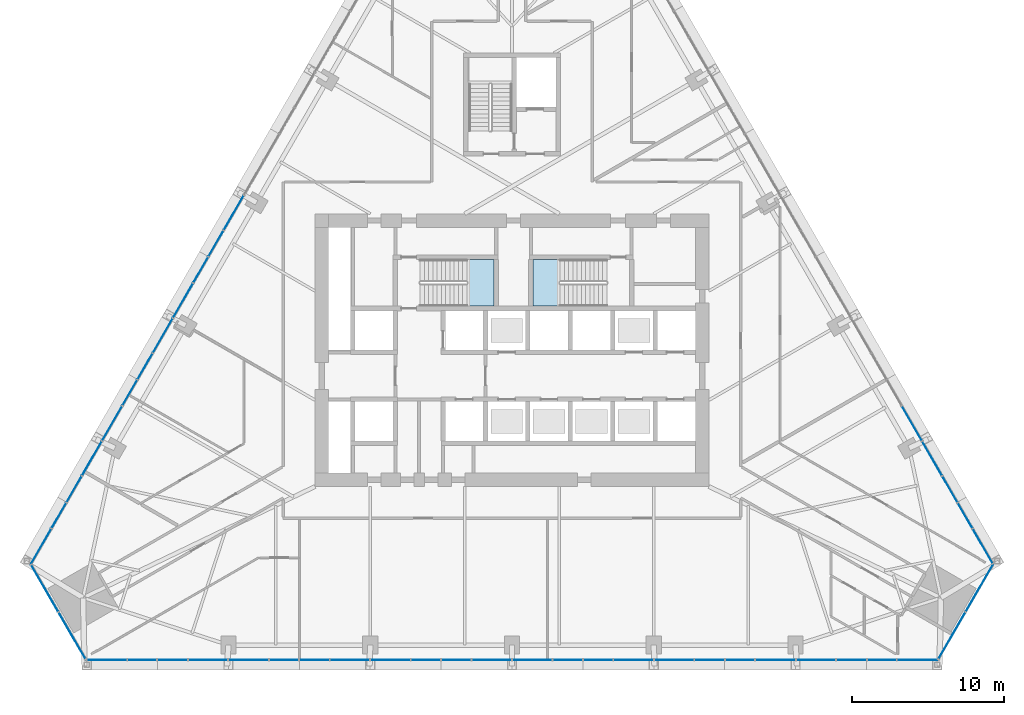
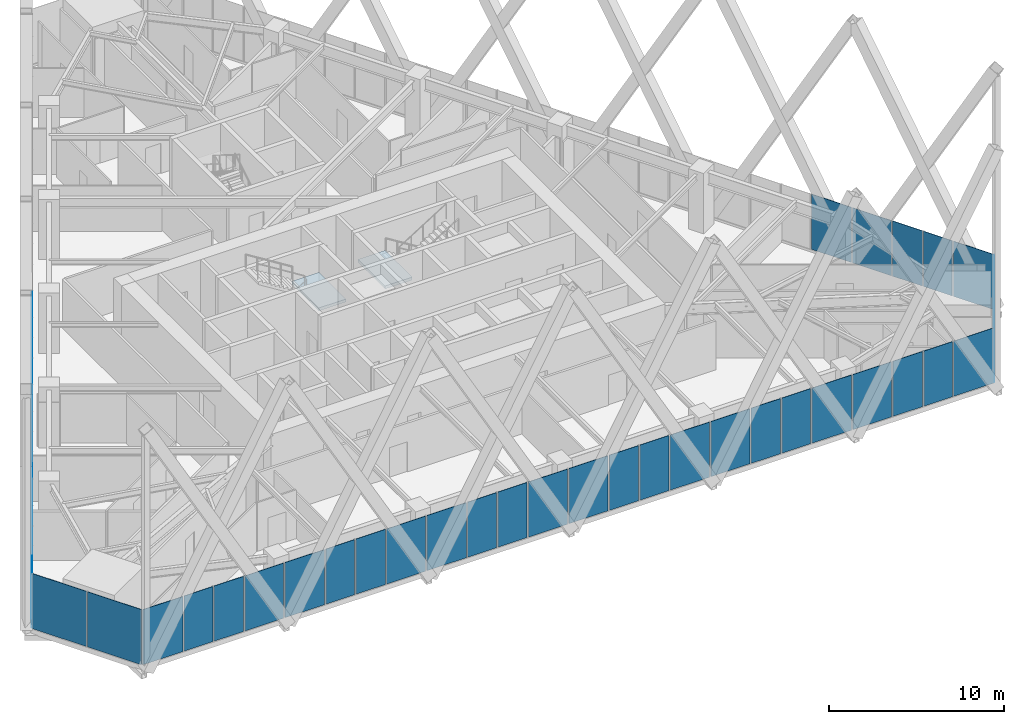
# One storey, part 13 of 21: 45 plates, 2 slabs, 7 elements without a shape of their own.
"""IFC4 building model written with IfcOpenShell, lengths in metres."""

from ifc_helpers import new_model, si_unit, direction, frame, origin, place, context, subcontext, project, spatial, polyline, outline, extrude, material, layer, layer_set, type_object, element, aggregate, save


model = new_model("IFC4")

# Units and contexts
model_context = context("Model", 3, precision=1e-05, world=origin(), true_north=direction((0.0, 1.0)))
body_context = subcontext(model_context, "Body", "Model", "MODEL_VIEW")
ifc_project = project(units=[si_unit("LENGTHUNIT", "METRE"), si_unit("AREAUNIT", "SQUARE_METRE"), si_unit("VOLUMEUNIT", "CUBIC_METRE"), si_unit("PLANEANGLEUNIT", "RADIAN"), si_unit("MASSUNIT", "GRAM", prefix="KILO")], contexts=[model_context])

# Site, building, storey
site_placement = place(None, origin())
site = spatial("IfcSite", under=ifc_project, at=site_placement, CompositionType="ELEMENT")
building_placement = place(site_placement, origin())
building = spatial("IfcBuilding", under=site, at=building_placement, Name="Firuza Gate Tower and Library", CompositionType="ELEMENT")
storey_placement = place(building_placement, frame((0.0, 0.0, 107.199951171875)))
storey = spatial("IfcBuildingStorey", under=building, at=storey_placement, Name="L24", CompositionType="ELEMENT", Elevation=107.199951171875)

# Curtain wall, plates
ifc_material_1 = material(Name="Aluminium 6063-T6", Category="aluminium")
ifc_layer_1 = layer(ifc_material_1, 0.14990234375)
ifc_layer_set_1 = layer_set([ifc_layer_1], Name="Corner curtain wall, chamfers")
curtain_wall_type_1 = type_object("IfcCurtainWallType", Name="Corner curtain wall, chamfers", PredefinedType="NOTDEFINED", material=ifc_layer_set_1)
placement_1 = place(storey_placement, origin())
curtain_wall_1 = element("IfcCurtainWall", 1, at=placement_1, inside=storey, type_object=curtain_wall_type_1, Name="CW4 L24 SE corner", PredefinedType="NOTDEFINED")
ifc_material_2 = material(Name="Fritted glass", Category="glass")
ifc_layer_2 = layer(ifc_material_2, 0.030029296875)
ifc_layer_set_2 = layer_set([ifc_layer_2], Name="Fritted glass unit, corners")
plate_type_1 = type_object("IfcPlateType", Name="Fritted glass unit, corners", PredefinedType="CURTAIN_PANEL", material=ifc_layer_set_2)
plate_1_placement = place(storey_placement, frame((103.138916015625, 54.59326171875, 0.150146484375), z_axis=(0.866016723041, -0.500015035186, 0.0), x_axis=(0.500015035186, 0.866016723041, 0.0)))
plate_1 = element("IfcPlate", 2, at=plate_1_placement, type_object=plate_type_1, Name="Glass unit", PredefinedType="CURTAIN_PANEL", context=body_context, shape_type="SweptSolid", body=[
    extrude(outline(polyline([(0.0, 0.0), (3.5633694106530625, 0.0), (3.5633694106530625, 3.849853515625), (0.0, 3.849853515625), (0.0, 0.0)])), origin(), (0.0, 0.0, -1.0), 0.030029296875),
])
plate_2_placement = place(storey_placement, frame((104.960693359375, 57.74853515625, 0.150146484375), z_axis=(0.866029262436, -0.49999331656, 0.0), x_axis=(0.49999331656, 0.866029262436, 0.0)))
plate_2 = element("IfcPlate", 3, at=plate_2_placement, type_object=plate_type_1, Name="Glass unit", PredefinedType="CURTAIN_PANEL", context=body_context, shape_type="SweptSolid", body=[
    extrude(outline(polyline([(0.0, 0.0), (3.563035907926298, 0.0), (3.563035907926298, 3.849853515625), (0.0, 3.849853515625), (0.0, 0.0)])), origin(), (0.0, 0.0, -1.0), 0.030029296875),
])
aggregate(curtain_wall_1, [plate_1, plate_2])

curtain_wall_2 = element("IfcCurtainWall", 4, at=placement_1, inside=storey, type_object=curtain_wall_type_1, Name="CW4 L24 SW corner", PredefinedType="NOTDEFINED")
plate_3_placement = place(storey_placement, frame((43.2578125, 60.834228515625, 0.150146484375), z_axis=(-0.866029262436, -0.49999331656, 0.0), x_axis=(0.49999331656, -0.866029262436, 0.0)))
plate_3 = element("IfcPlate", 5, at=plate_3_placement, type_object=plate_type_1, Name="Glass unit", PredefinedType="CURTAIN_PANEL", context=body_context, shape_type="SweptSolid", body=[
    extrude(outline(polyline([(0.0, 0.0), (3.563035907926298, 0.0), (3.563035907926298, 3.849853515625), (0.0, 3.849853515625), (0.0, 0.0)])), origin(), (0.0, 0.0, -1.0), 0.030029296875),
])
plate_4_placement = place(storey_placement, frame((45.079345703125, 57.67919921875, 0.150146484375), z_axis=(-0.866016723041, -0.500015035186, 0.0), x_axis=(0.500015035186, -0.866016723041, 0.0)))
plate_4 = element("IfcPlate", 6, at=plate_4_placement, type_object=plate_type_1, Name="Glass unit", PredefinedType="CURTAIN_PANEL", context=body_context, shape_type="SweptSolid", body=[
    extrude(outline(polyline([(0.0, 0.0), (3.5633694106530625, 0.0), (3.5633694106530625, 3.849853515625), (0.0, 3.849853515625), (0.0, 0.0)])), origin(), (0.0, 0.0, -1.0), 0.030029296875),
])
aggregate(curtain_wall_2, [plate_3, plate_4])

ifc_material_3 = material(Name="Aluminium 6063-T6", Category="aluminium")
ifc_layer_3 = layer(ifc_material_3, 0.14990234375)
ifc_layer_set_3 = layer_set([ifc_layer_3], Name="Unitised curtain wall, offices")
curtain_wall_type_2 = type_object("IfcCurtainWallType", Name="Unitised curtain wall, offices", PredefinedType="NOTDEFINED", material=ifc_layer_set_3)
curtain_wall_3 = element("IfcCurtainWall", 7, at=placement_1, inside=storey, type_object=curtain_wall_type_2, Name="CW1 L24 S face", PredefinedType="NOTDEFINED")
ifc_material_4 = material(Name="Fritted glass", Category="glass")
ifc_layer_4 = layer(ifc_material_4, 0.030029296875)
ifc_layer_set_4 = layer_set([ifc_layer_4], Name="Fritted glass unit, offices")
plate_type_2 = type_object("IfcPlateType", Name="Fritted glass unit, offices", PredefinedType="CURTAIN_PANEL", material=ifc_layer_set_4)
plate_5_placement = place(storey_placement, frame((49.650146484375, 54.551025390625, 0.150146484375), z_axis=(0.0, -1.0, 0.0), x_axis=(1.0, 0.0, 0.0)))
plate_5 = element("IfcPlate", 8, at=plate_5_placement, type_object=plate_type_2, Name="Glass unit", PredefinedType="CURTAIN_PANEL", context=body_context, shape_type="SweptSolid", body=[
    extrude(outline(polyline([(0.0, 0.0), (1.88818359375, 0.0), (1.88818359375, 3.849853515625), (0.0, 3.849853515625), (0.0, 0.0)])), origin(), (0.0, 0.0, -1.0), 0.030029296875),
])
plate_6_placement = place(storey_placement, frame((51.618408203125, 54.551025390625, 0.150146484375), z_axis=(0.0, -1.0, 0.0), x_axis=(1.0, 0.0, 0.0)))
plate_6 = element("IfcPlate", 9, at=plate_6_placement, type_object=plate_type_2, Name="Glass unit", PredefinedType="CURTAIN_PANEL", context=body_context, shape_type="SweptSolid", body=[
    extrude(outline(polyline([(0.0, 0.0), (1.96044921875, 0.0), (1.96044921875, 3.849853515625), (0.0, 3.849853515625), (0.0, 0.0)])), origin(), (0.0, 0.0, -1.0), 0.030029296875),
])
plate_7_placement = place(storey_placement, frame((59.00439453125, 54.551025390625, 0.150146484375), z_axis=(0.0, -1.0, 0.0), x_axis=(1.0, 0.0, 0.0)))
plate_7 = element("IfcPlate", 10, at=plate_7_placement, type_object=plate_type_2, Name="Glass unit", PredefinedType="CURTAIN_PANEL", context=body_context, shape_type="SweptSolid", body=[
    extrude(outline(polyline([(0.0, 0.0), (1.902587890625, 0.0), (1.902587890625, 3.849853515625), (0.0, 3.849853515625), (0.0, 0.0)])), origin(), (0.0, 0.0, -1.0), 0.030029296875),
])
plate_8_placement = place(storey_placement, frame((60.987060546875, 54.551025390625, 0.150146484375), z_axis=(0.0, -1.0, 0.0), x_axis=(1.0, 0.0, 0.0)))
plate_8 = element("IfcPlate", 11, at=plate_8_placement, type_object=plate_type_2, Name="Glass unit", PredefinedType="CURTAIN_PANEL", context=body_context, shape_type="SweptSolid", body=[
    extrude(outline(polyline([(0.0, 0.0), (1.946044921875, 0.0), (1.946044921875, 3.849853515625), (0.0, 3.849853515625), (0.0, 0.0)])), origin(), (0.0, 0.0, -1.0), 0.030029296875),
])
plate_9_placement = place(storey_placement, frame((68.358642578125, 54.551025390625, 0.150146484375), z_axis=(0.0, -1.0, 0.0), x_axis=(1.0, 0.0, 0.0)))
plate_9 = element("IfcPlate", 12, at=plate_9_placement, type_object=plate_type_2, Name="Glass unit", PredefinedType="CURTAIN_PANEL", context=body_context, shape_type="SweptSolid", body=[
    extrude(outline(polyline([(0.0, 0.0), (1.9169921875, 0.0), (1.9169921875, 3.849853515625), (0.0, 3.849853515625), (0.0, 0.0)])), origin(), (0.0, 0.0, -1.0), 0.030029296875),
])
plate_10_placement = place(storey_placement, frame((70.355712890625, 54.551025390625, 0.150146484375), z_axis=(0.0, -1.0, 0.0), x_axis=(1.0, 0.0, 0.0)))
plate_10 = element("IfcPlate", 13, at=plate_10_placement, type_object=plate_type_2, Name="Glass unit", PredefinedType="CURTAIN_PANEL", context=body_context, shape_type="SweptSolid", body=[
    extrude(outline(polyline([(0.0, 0.0), (1.931396484375, 0.0), (1.931396484375, 3.849853515625), (0.0, 3.849853515625), (0.0, 0.0)])), origin(), (0.0, 0.0, -1.0), 0.030029296875),
])
plate_11_placement = place(storey_placement, frame((77.712890625, 54.551025390625, 0.150146484375), z_axis=(0.0, -1.0, 0.0), x_axis=(1.0, 0.0, 0.0)))
plate_11 = element("IfcPlate", 14, at=plate_11_placement, type_object=plate_type_2, Name="Glass unit", PredefinedType="CURTAIN_PANEL", context=body_context, shape_type="SweptSolid", body=[
    extrude(outline(polyline([(0.0, 0.0), (1.931396484375, 0.0), (1.931396484375, 3.849853515625), (0.0, 3.849853515625), (0.0, 0.0)])), origin(), (0.0, 0.0, -1.0), 0.030029296875),
])
plate_12_placement = place(storey_placement, frame((79.724365234375, 54.551025390625, 0.150146484375), z_axis=(0.0, -1.0, 0.0), x_axis=(1.0, 0.0, 0.0)))
plate_12 = element("IfcPlate", 15, at=plate_12_placement, type_object=plate_type_2, Name="Glass unit", PredefinedType="CURTAIN_PANEL", context=body_context, shape_type="SweptSolid", body=[
    extrude(outline(polyline([(0.0, 0.0), (1.9169921875, 0.0), (1.9169921875, 3.849853515625), (0.0, 3.849853515625), (0.0, 0.0)])), origin(), (0.0, 0.0, -1.0), 0.030029296875),
])
plate_13_placement = place(storey_placement, frame((87.06689453125, 54.551025390625, 0.150146484375), z_axis=(0.0, -1.0, 0.0), x_axis=(1.0, 0.0, 0.0)))
plate_13 = element("IfcPlate", 16, at=plate_13_placement, type_object=plate_type_2, Name="Glass unit", PredefinedType="CURTAIN_PANEL", context=body_context, shape_type="SweptSolid", body=[
    extrude(outline(polyline([(0.0, 0.0), (1.946044921875, 0.0), (1.946044921875, 3.849853515625), (0.0, 3.849853515625), (0.0, 0.0)])), origin(), (0.0, 0.0, -1.0), 0.030029296875),
])
plate_14_placement = place(storey_placement, frame((89.093017578125, 54.551025390625, 0.150146484375), z_axis=(0.0, -1.0, 0.0), x_axis=(1.0, 0.0, 0.0)))
plate_14 = element("IfcPlate", 17, at=plate_14_placement, type_object=plate_type_2, Name="Glass unit", PredefinedType="CURTAIN_PANEL", context=body_context, shape_type="SweptSolid", body=[
    extrude(outline(polyline([(0.0, 0.0), (1.902587890625, 0.0), (1.902587890625, 3.849853515625), (0.0, 3.849853515625), (0.0, 0.0)])), origin(), (0.0, 0.0, -1.0), 0.030029296875),
])
plate_15_placement = place(storey_placement, frame((96.421142578125, 54.551025390625, 0.150146484375), z_axis=(0.0, -1.0, 0.0), x_axis=(1.0, 0.0, 0.0)))
plate_15 = element("IfcPlate", 18, at=plate_15_placement, type_object=plate_type_2, Name="Glass unit", PredefinedType="CURTAIN_PANEL", context=body_context, shape_type="SweptSolid", body=[
    extrude(outline(polyline([(0.0, 0.0), (1.96044921875, 0.0), (1.96044921875, 3.849853515625), (0.0, 3.849853515625), (0.0, 0.0)])), origin(), (0.0, 0.0, -1.0), 0.030029296875),
])
plate_16_placement = place(storey_placement, frame((98.461669921875, 54.551025390625, 0.150146484375), z_axis=(0.0, -1.0, 0.0), x_axis=(1.0, 0.0, 0.0)))
plate_16 = element("IfcPlate", 19, at=plate_16_placement, type_object=plate_type_2, Name="Glass unit", PredefinedType="CURTAIN_PANEL", context=body_context, shape_type="SweptSolid", body=[
    extrude(outline(polyline([(0.0, 0.0), (1.88818359375, 0.0), (1.88818359375, 3.849853515625), (0.0, 3.849853515625), (0.0, 0.0)])), origin(), (0.0, 0.0, -1.0), 0.030029296875),
])

curtain_wall_4 = element("IfcCurtainWall", 20, at=placement_1, inside=storey, type_object=curtain_wall_type_2, Name="CW1 L24 E face", PredefinedType="NOTDEFINED")
plate_17_placement = place(storey_placement, frame((105.38427734375, 63.270751953125, 0.150146484375), z_axis=(0.866030560329, 0.499991068497, 0.0), x_axis=(-0.499991068497, 0.866030560329, 0.0)))
plate_17 = element("IfcPlate", 21, at=plate_17_placement, type_object=plate_type_2, Name="Glass unit", PredefinedType="CURTAIN_PANEL", context=body_context, shape_type="SweptSolid", body=[
    extrude(outline(polyline([(0.0, 0.0), (1.8882173229881538, 0.0), (1.8882173229881538, 3.849853515625), (0.0, 3.849853515625), (0.0, 0.0)])), origin(), (0.0, 0.0, -1.0), 0.030029296875),
])
plate_18_placement = place(storey_placement, frame((104.400146484375, 64.975341796875, 0.150146484375), z_axis=(0.866019675333, 0.500009921838, 0.0), x_axis=(-0.500009921838, 0.866019675333, 0.0)))
plate_18 = element("IfcPlate", 22, at=plate_18_placement, type_object=plate_type_2, Name="Glass unit", PredefinedType="CURTAIN_PANEL", context=body_context, shape_type="SweptSolid", body=[
    extrude(outline(polyline([(0.0, 0.0), (1.960410317002924, 0.0), (1.960410317002924, 3.849853515625), (0.0, 3.849853515625), (0.0, 0.0)])), origin(), (0.0, 0.0, -1.0), 0.030029296875),
])

curtain_wall_5 = element("IfcCurtainWall", 23, at=placement_1, inside=storey, type_object=curtain_wall_type_2, Name="CW1 L24 W face", PredefinedType="NOTDEFINED")
plate_19_placement = place(storey_placement, frame((55.934326171875, 82.875, 0.150146484375), z_axis=(-0.865994022444, 0.500054350137, 0.0), x_axis=(-0.500054350137, -0.865994022444, 0.0)))
plate_19 = element("IfcPlate", 24, at=plate_19_placement, type_object=plate_type_2, Name="Glass unit", PredefinedType="CURTAIN_PANEL", context=body_context, shape_type="SweptSolid", body=[
    extrude(outline(polyline([(0.0, 0.0), (1.9314306779558341, 0.0), (1.9314306779558341, 3.849853515625001), (0.0, 3.849853515625001), (0.0, 0.0)])), origin(), (0.0, 0.0, -1.0), 0.030029296875),
])
plate_20_placement = place(storey_placement, frame((54.928466796875, 81.133056640625, 0.150146484375), z_axis=(-0.866024401789, 0.500001735503, 0.0), x_axis=(-0.500001735503, -0.866024401789, 0.0)))
plate_20 = element("IfcPlate", 25, at=plate_20_placement, type_object=plate_type_2, Name="Glass unit", PredefinedType="CURTAIN_PANEL", context=body_context, shape_type="SweptSolid", body=[
    extrude(outline(polyline([(0.0, 0.0), (1.9169855336303587, 0.0), (1.9169855336303587, 3.8498535156249996), (0.0, 3.8498535156249996), (0.0, 0.0)])), origin(), (0.0, 0.0, -1.0), 0.030029296875),
])
plate_21_placement = place(storey_placement, frame((51.25732421875, 74.774169921875, 0.150146484375), z_axis=(-0.865995465643, 0.500051850797, 0.0), x_axis=(-0.500051850797, -0.865995465643, 0.0)))
plate_21 = element("IfcPlate", 26, at=plate_21_placement, type_object=plate_type_2, Name="Glass unit", PredefinedType="CURTAIN_PANEL", context=body_context, shape_type="SweptSolid", body=[
    extrude(outline(polyline([(0.0, 0.0), (1.9460872501492925, 0.0), (1.9460872501492925, 3.849853515625), (0.0, 3.849853515625), (0.0, 0.0)])), origin(), (0.0, 0.0, -1.0), 0.030029296875),
])
plate_22_placement = place(storey_placement, frame((50.244140625, 73.01953125, 0.150146484375), z_axis=(-0.866055239177, 0.499948320023, 0.0), x_axis=(-0.499948320023, -0.866055239177, 0.0)))
plate_22 = element("IfcPlate", 27, at=plate_22_placement, type_object=plate_type_2, Name="Glass unit", PredefinedType="CURTAIN_PANEL", context=body_context, shape_type="SweptSolid", body=[
    extrude(outline(polyline([(0.0, 0.0), (1.9025403964883187, 0.0), (1.9025403964883187, 3.849853515625), (0.0, 3.849853515625), (0.0, 0.0)])), origin(), (0.0, 0.0, -1.0), 0.030029296875),
])
plate_23_placement = place(storey_placement, frame((46.580078125, 66.673095703125, 0.150146484375), z_axis=(-0.866019675333, 0.500009921838, 0.0), x_axis=(-0.500009921838, -0.866019675333, 0.0)))
plate_23 = element("IfcPlate", 28, at=plate_23_placement, type_object=plate_type_2, Name="Glass unit", PredefinedType="CURTAIN_PANEL", context=body_context, shape_type="SweptSolid", body=[
    extrude(outline(polyline([(0.0, 0.0), (1.960410317002924, 0.0), (1.960410317002924, 3.849853515625), (0.0, 3.849853515625), (0.0, 0.0)])), origin(), (0.0, 0.0, -1.0), 0.030029296875),
])
plate_24_placement = place(storey_placement, frame((45.559814453125, 64.906005859375, 0.150146484375), z_axis=(-0.866030560329, 0.499991068497, 0.0), x_axis=(-0.499991068497, -0.866030560329, 0.0)))
plate_24 = element("IfcPlate", 29, at=plate_24_placement, type_object=plate_type_2, Name="Glass unit", PredefinedType="CURTAIN_PANEL", context=body_context, shape_type="SweptSolid", body=[
    extrude(outline(polyline([(0.0, 0.0), (1.8882173229881538, 0.0), (1.8882173229881538, 3.849853515625), (0.0, 3.849853515625), (0.0, 0.0)])), origin(), (0.0, 0.0, -1.0), 0.030029296875),
])

# Plate
ifc_material_5 = material(Name="Glazed ceramic tile")
ifc_layer_5 = layer(ifc_material_5, 0.030029296875)
ifc_layer_set_5 = layer_set([ifc_layer_5], Name="Opaque ceramic panel, offices")
plate_type_3 = type_object("IfcPlateType", Name="Opaque ceramic panel, offices", PredefinedType="CURTAIN_PANEL", material=ifc_layer_set_5)
plate_25_placement = place(storey_placement, frame((46.93408203125, 54.551025390625, 0.150146484375), z_axis=(0.0, -1.0, 0.0), x_axis=(1.0, 0.0, 0.0)))
plate_25 = element("IfcPlate", 30, at=plate_25_placement, type_object=plate_type_3, Name="Opaque ceramic panel", PredefinedType="CURTAIN_PANEL", context=body_context, shape_type="SweptSolid", body=[
    extrude(outline(polyline([(0.0, 0.0), (2.635986328125, 0.0), (2.635986328125, 3.849853515625), (0.0, 3.849853515625), (0.0, 0.0)])), origin(), (0.0, 0.0, -1.0), 0.030029296875),
])

plate_26_placement = place(storey_placement, frame((53.65869140625, 54.551025390625, 0.150146484375), z_axis=(0.0, -1.0, 0.0), x_axis=(1.0, 0.0, 0.0)))
plate_26 = element("IfcPlate", 31, at=plate_26_placement, type_object=plate_type_3, Name="Opaque ceramic panel", PredefinedType="CURTAIN_PANEL", context=body_context, shape_type="SweptSolid", body=[
    extrude(outline(polyline([(0.0, 0.0), (2.56396484375, 0.0), (2.56396484375, 3.849853515625), (0.0, 3.849853515625), (0.0, 0.0)])), origin(), (0.0, 0.0, -1.0), 0.030029296875),
])

plate_27_placement = place(storey_placement, frame((56.302734375, 54.551025390625, 0.150146484375), z_axis=(0.0, -1.0, 0.0), x_axis=(1.0, 0.0, 0.0)))
plate_27 = element("IfcPlate", 32, at=plate_27_placement, type_object=plate_type_3, Name="Opaque ceramic panel", PredefinedType="CURTAIN_PANEL", context=body_context, shape_type="SweptSolid", body=[
    extrude(outline(polyline([(0.0, 0.0), (2.62158203125, 0.0), (2.62158203125, 3.849853515625), (0.0, 3.849853515625), (0.0, 0.0)])), origin(), (0.0, 0.0, -1.0), 0.030029296875),
])

plate_28_placement = place(storey_placement, frame((63.012939453125, 54.551025390625, 0.150146484375), z_axis=(0.0, -1.0, 0.0), x_axis=(1.0, 0.0, 0.0)))
plate_28 = element("IfcPlate", 33, at=plate_28_placement, type_object=plate_type_3, Name="Opaque ceramic panel", PredefinedType="CURTAIN_PANEL", context=body_context, shape_type="SweptSolid", body=[
    extrude(outline(polyline([(0.0, 0.0), (2.578369140625, 0.0), (2.578369140625, 3.849853515625), (0.0, 3.849853515625), (0.0, 0.0)])), origin(), (0.0, 0.0, -1.0), 0.030029296875),
])

plate_29_placement = place(storey_placement, frame((65.67138671875, 54.551025390625, 0.150146484375), z_axis=(0.0, -1.0, 0.0), x_axis=(1.0, 0.0, 0.0)))
plate_29 = element("IfcPlate", 34, at=plate_29_placement, type_object=plate_type_3, Name="Opaque ceramic panel", PredefinedType="CURTAIN_PANEL", context=body_context, shape_type="SweptSolid", body=[
    extrude(outline(polyline([(0.0, 0.0), (2.607177734375, 0.0), (2.607177734375, 3.849853515625), (0.0, 3.849853515625), (0.0, 0.0)])), origin(), (0.0, 0.0, -1.0), 0.030029296875),
])

plate_30_placement = place(storey_placement, frame((72.3671875, 54.551025390625, 0.150146484375), z_axis=(0.0, -1.0, 0.0), x_axis=(1.0, 0.0, 0.0)))
plate_30 = element("IfcPlate", 35, at=plate_30_placement, type_object=plate_type_3, Name="Opaque ceramic panel", PredefinedType="CURTAIN_PANEL", context=body_context, shape_type="SweptSolid", body=[
    extrude(outline(polyline([(0.0, 0.0), (2.5927734375, 0.0), (2.5927734375, 3.849853515625), (0.0, 3.849853515625), (0.0, 0.0)])), origin(), (0.0, 0.0, -1.0), 0.030029296875),
])

plate_31_placement = place(storey_placement, frame((75.0400390625, 54.551025390625, 0.150146484375), z_axis=(0.0, -1.0, 0.0), x_axis=(1.0, 0.0, 0.0)))
plate_31 = element("IfcPlate", 36, at=plate_31_placement, type_object=plate_type_3, Name="Opaque ceramic panel", PredefinedType="CURTAIN_PANEL", context=body_context, shape_type="SweptSolid", body=[
    extrude(outline(polyline([(0.0, 0.0), (2.5927734375, 0.0), (2.5927734375, 3.849853515625), (0.0, 3.849853515625), (0.0, 0.0)])), origin(), (0.0, 0.0, -1.0), 0.030029296875),
])

plate_32_placement = place(storey_placement, frame((81.721435546875, 54.551025390625, 0.150146484375), z_axis=(0.0, -1.0, 0.0), x_axis=(1.0, 0.0, 0.0)))
plate_32 = element("IfcPlate", 37, at=plate_32_placement, type_object=plate_type_3, Name="Opaque ceramic panel", PredefinedType="CURTAIN_PANEL", context=body_context, shape_type="SweptSolid", body=[
    extrude(outline(polyline([(0.0, 0.0), (2.607177734375, 0.0), (2.607177734375, 3.849853515625), (0.0, 3.849853515625), (0.0, 0.0)])), origin(), (0.0, 0.0, -1.0), 0.030029296875),
])

plate_33_placement = place(storey_placement, frame((84.40869140625, 54.551025390625, 0.150146484375), z_axis=(0.0, -1.0, 0.0), x_axis=(1.0, 0.0, 0.0)))
plate_33 = element("IfcPlate", 38, at=plate_33_placement, type_object=plate_type_3, Name="Opaque ceramic panel", PredefinedType="CURTAIN_PANEL", context=body_context, shape_type="SweptSolid", body=[
    extrude(outline(polyline([(0.0, 0.0), (2.578369140625, 0.0), (2.578369140625, 3.849853515625), (0.0, 3.849853515625), (0.0, 0.0)])), origin(), (0.0, 0.0, -1.0), 0.030029296875),
])

plate_34_placement = place(storey_placement, frame((91.07568359375, 54.551025390625, 0.150146484375), z_axis=(0.0, -1.0, 0.0), x_axis=(1.0, 0.0, 0.0)))
plate_34 = element("IfcPlate", 39, at=plate_34_placement, type_object=plate_type_3, Name="Opaque ceramic panel", PredefinedType="CURTAIN_PANEL", context=body_context, shape_type="SweptSolid", body=[
    extrude(outline(polyline([(0.0, 0.0), (2.62158203125, 0.0), (2.62158203125, 3.849853515625), (0.0, 3.849853515625), (0.0, 0.0)])), origin(), (0.0, 0.0, -1.0), 0.030029296875),
])

plate_35_placement = place(storey_placement, frame((93.77734375, 54.551025390625, 0.150146484375), z_axis=(0.0, -1.0, 0.0), x_axis=(1.0, 0.0, 0.0)))
plate_35 = element("IfcPlate", 40, at=plate_35_placement, type_object=plate_type_3, Name="Opaque ceramic panel", PredefinedType="CURTAIN_PANEL", context=body_context, shape_type="SweptSolid", body=[
    extrude(outline(polyline([(0.0, 0.0), (2.56396484375, 0.0), (2.56396484375, 3.849853515625), (0.0, 3.849853515625), (0.0, 0.0)])), origin(), (0.0, 0.0, -1.0), 0.030029296875),
])

plate_36_placement = place(storey_placement, frame((100.429931640625, 54.551025390625, 0.150146484375), z_axis=(0.0, -1.0, 0.0), x_axis=(1.0, 0.0, 0.0)))
plate_36 = element("IfcPlate", 41, at=plate_36_placement, type_object=plate_type_3, Name="Opaque ceramic panel", PredefinedType="CURTAIN_PANEL", context=body_context, shape_type="SweptSolid", body=[
    extrude(outline(polyline([(0.0, 0.0), (2.635986328125, 0.0), (2.635986328125, 3.849853515625), (0.0, 3.849853515625), (0.0, 0.0)])), origin(), (0.0, 0.0, -1.0), 0.030029296875),
])

aggregate(curtain_wall_3, [plate_25, plate_5, plate_6, plate_26, plate_27, plate_7, plate_8, plate_28, plate_29, plate_9, plate_10, plate_30, plate_31, plate_11, plate_12, plate_32, plate_33, plate_13, plate_14, plate_34, plate_35, plate_15, plate_16, plate_36])

plate_37_placement = place(storey_placement, frame((106.7421875, 60.918701171875, 0.150146484375), z_axis=(0.866017478146, 0.500013727357, 0.0), x_axis=(-0.500013727357, 0.866017478146, 0.0)))
plate_37 = element("IfcPlate", 42, at=plate_37_placement, type_object=plate_type_3, Name="Opaque ceramic panel", PredefinedType="CURTAIN_PANEL", context=body_context, shape_type="SweptSolid", body=[
    extrude(outline(polyline([(0.0, 0.0), (2.636158093785347, 0.0), (2.636158093785347, 3.849853515625), (0.0, 3.849853515625), (0.0, 0.0)])), origin(), (0.0, 0.0, -1.0), 0.030029296875),
])

plate_38_placement = place(storey_placement, frame((103.3798828125, 66.742431640625, 0.150146484375), z_axis=(0.866025432576, 0.499999950132, 0.0), x_axis=(-0.499999950132, 0.866025432576, 0.0)))
plate_38 = element("IfcPlate", 43, at=plate_38_placement, type_object=plate_type_3, Name="Opaque ceramic panel", PredefinedType="CURTAIN_PANEL", context=body_context, shape_type="SweptSolid", body=[
    extrude(outline(polyline([(0.0, 0.0), (2.5639650994676484, 0.0), (2.5639650994676484, 3.849853515625001), (0.0, 3.849853515625001), (0.0, 0.0)])), origin(), (0.0, 0.0, -1.0), 0.030029296875),
])

plate_39_placement = place(storey_placement, frame((102.057861328125, 69.0322265625, 0.150146484375), z_axis=(0.866016537995, 0.500015355683, 0.0), x_axis=(-0.500015355683, 0.866016537995, 0.0)))
plate_39 = element("IfcPlate", 44, at=plate_39_placement, type_object=plate_type_3, Name="Opaque ceramic panel", PredefinedType="CURTAIN_PANEL", context=body_context, shape_type="SweptSolid", body=[
    extrude(outline(polyline([(0.0, 0.0), (2.6215015213572883, 0.0), (2.6215015213572883, 3.849853515625), (0.0, 3.849853515625), (0.0, 0.0)])), origin(), (0.0, 0.0, -1.0), 0.030029296875),
])

aggregate(curtain_wall_4, [plate_37, plate_17, plate_18, plate_38, plate_39])

plate_40_placement = place(storey_placement, frame((57.270751953125, 85.189697265625, 0.150146484375), z_axis=(-0.866020935974, 0.500007738395, 0.0), x_axis=(-0.500007738395, -0.866020935974, 0.0)))
plate_40 = element("IfcPlate", 45, at=plate_40_placement, type_object=plate_type_3, Name="Opaque ceramic panel", PredefinedType="CURTAIN_PANEL", context=body_context, shape_type="SweptSolid", body=[
    extrude(outline(polyline([(0.0, 0.0), (2.592733310309924, 0.0), (2.592733310309924, 3.849853515625), (0.0, 3.849853515625), (0.0, 0.0)])), origin(), (0.0, 0.0, -1.0), 0.030029296875),
])

plate_41_placement = place(storey_placement, frame((53.929931640625, 79.403564453125, 0.150146484375), z_axis=(-0.866062405902, 0.499935904975, 0.0), x_axis=(-0.499935904975, -0.866062405902, 0.0)))
plate_41 = element("IfcPlate", 46, at=plate_41_placement, type_object=plate_type_3, Name="Opaque ceramic panel", PredefinedType="CURTAIN_PANEL", context=body_context, shape_type="SweptSolid", body=[
    extrude(outline(polyline([(0.0, 0.0), (2.6072678195433303, 0.0), (2.6072678195433303, 3.849853515625), (0.0, 3.849853515625), (0.0, 0.0)])), origin(), (0.0, 0.0, -1.0), 0.030029296875),
])

plate_42_placement = place(storey_placement, frame((52.58642578125, 77.076416015625, 0.150146484375), z_axis=(-0.86600267068, 0.500039372825, 0.0), x_axis=(-0.500039372825, -0.86600267068, 0.0)))
plate_42 = element("IfcPlate", 47, at=plate_42_placement, type_object=plate_type_3, Name="Opaque ceramic panel", PredefinedType="CURTAIN_PANEL", context=body_context, shape_type="SweptSolid", body=[
    extrude(outline(polyline([(0.0, 0.0), (2.5784102426580846, 0.0), (2.5784102426580846, 3.849853515625), (0.0, 3.849853515625), (0.0, 0.0)])), origin(), (0.0, 0.0, -1.0), 0.030029296875),
])

plate_43_placement = place(storey_placement, frame((49.2529296875, 71.302490234375, 0.150146484375), z_axis=(-0.866016537995, 0.500015355683, 0.0), x_axis=(-0.500015355683, -0.866016537995, 0.0)))
plate_43 = element("IfcPlate", 48, at=plate_43_placement, type_object=plate_type_3, Name="Opaque ceramic panel", PredefinedType="CURTAIN_PANEL", context=body_context, shape_type="SweptSolid", body=[
    extrude(outline(polyline([(0.0, 0.0), (2.6215015213572883, 0.0), (2.6215015213572883, 3.849853515625), (0.0, 3.849853515625), (0.0, 0.0)])), origin(), (0.0, 0.0, -1.0), 0.030029296875),
])

plate_44_placement = place(storey_placement, frame((47.902099609375, 68.962890625, 0.150146484375), z_axis=(-0.866025432576, 0.499999950132, 0.0), x_axis=(-0.499999950132, -0.866025432576, 0.0)))
plate_44 = element("IfcPlate", 49, at=plate_44_placement, type_object=plate_type_3, Name="Opaque ceramic panel", PredefinedType="CURTAIN_PANEL", context=body_context, shape_type="SweptSolid", body=[
    extrude(outline(polyline([(0.0, 0.0), (2.5639650994676484, 0.0), (2.5639650994676484, 3.849853515625001), (0.0, 3.849853515625001), (0.0, 0.0)])), origin(), (0.0, 0.0, -1.0), 0.030029296875),
])

plate_45_placement = place(storey_placement, frame((44.575927734375, 63.20166015625, 0.150146484375), z_axis=(-0.866017478146, 0.500013727357, 0.0), x_axis=(-0.500013727357, -0.866017478146, 0.0)))
plate_45 = element("IfcPlate", 50, at=plate_45_placement, type_object=plate_type_3, Name="Opaque ceramic panel", PredefinedType="CURTAIN_PANEL", context=body_context, shape_type="SweptSolid", body=[
    extrude(outline(polyline([(0.0, 0.0), (2.636158093785347, 0.0), (2.636158093785347, 3.849853515625), (0.0, 3.849853515625), (0.0, 0.0)])), origin(), (0.0, 0.0, -1.0), 0.030029296875),
])

aggregate(curtain_wall_5, [plate_40, plate_19, plate_20, plate_41, plate_42, plate_21, plate_22, plate_43, plate_44, plate_23, plate_24, plate_45])

# Stair, slab
ifc_material_6 = material(Name="Concrete C35/45", Category="concrete")
stair_type = type_object("IfcStairType", Name="Exit stair ST5", PredefinedType="HALF_TURN_STAIR", material=ifc_material_6)
stair_1 = element("IfcStair", 51, at=placement_1, inside=storey, type_object=stair_type, Name="L24 Stair ST1", PredefinedType="HALF_TURN_STAIR")
ifc_material_7 = material(Name="Concrete C35/45", Category="concrete")
ifc_layer_6 = layer(ifc_material_7, 0.199951171875)
ifc_layer_set_6 = layer_set([ifc_layer_6], Name="Stair landing 200")
slab_type = type_object("IfcSlabType", Name="Stair landing 200", PredefinedType="LANDING", material=ifc_layer_set_6)
placement_2 = place(storey_placement, frame((0.0, 0.0, 1.900146484375)))
slab_1 = element("IfcSlab", 52, at=placement_2, type_object=slab_type, Name="ST1 landing 1", PredefinedType="LANDING", context=body_context, shape_type="SweptSolid", body=[
    extrude(outline(polyline([(72.02001953125, 77.89990234375), (73.81005859375, 77.89990234375), (73.81005859375, 80.97998046875), (72.02001953125, 80.97998046875), (72.02001953125, 77.89990234375)])), origin(), (0.0, 0.0, 1.0), 0.199951171875),
])
aggregate(stair_1, [slab_1])

stair_2 = element("IfcStair", 53, at=placement_1, inside=storey, type_object=stair_type, Name="L24 Stair ST2", PredefinedType="HALF_TURN_STAIR")
slab_2 = element("IfcSlab", 54, at=placement_2, type_object=slab_type, Name="ST2 landing 1", PredefinedType="LANDING", context=body_context, shape_type="SweptSolid", body=[
    extrude(outline(polyline([(78.179931640625, 80.97998046875), (76.389892578125, 80.97998046875), (76.389892578125, 77.89990234375), (78.179931640625, 77.89990234375), (78.179931640625, 80.97998046875)])), origin(), (0.0, 0.0, 1.0), 0.199951171875),
])
aggregate(stair_2, [slab_2])

save(model, "model.ifc")
